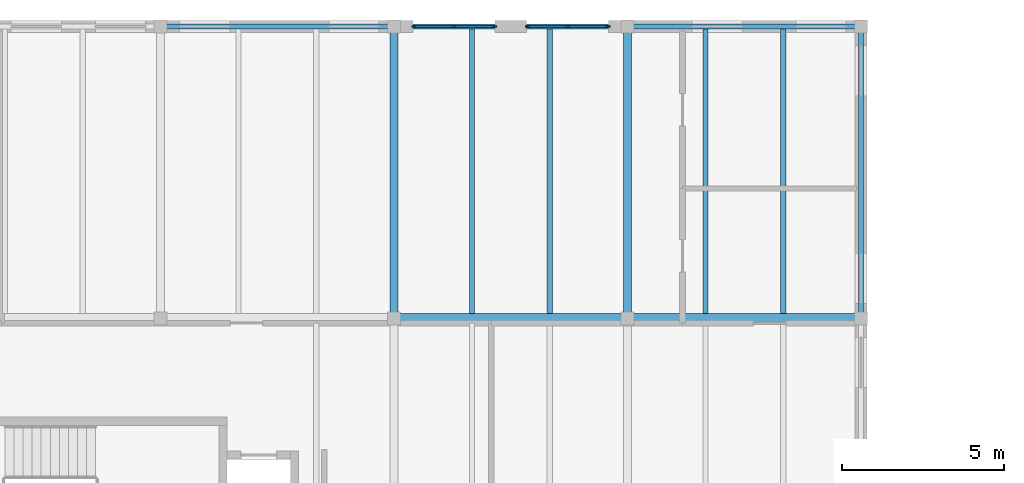
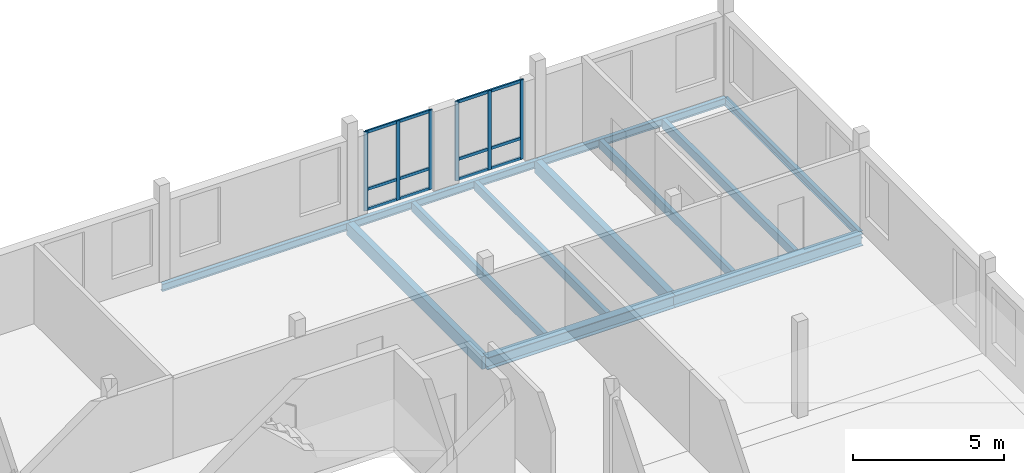
# One storey, part 19 of 34: 12 beams, 12 members, 2 elements without a shape of their own.
"""IFC4 building model written with IfcOpenShell, lengths in metres."""

from ifc_helpers import new_model, si_unit, direction, frame, origin, origin_2d, place, context, subcontext, project, spatial, rectangle, i_section, extrude, material, material_profile, profile_set, type_object, element, aggregate, save


model = new_model("IFC4")

# Units and contexts
model_context = context("Model", 3, precision=1e-05, world=origin(), true_north=direction((0.0, 1.0)))
body_context = subcontext(model_context, "Body", "Model", "MODEL_VIEW")
ifc_project = project(units=[si_unit("LENGTHUNIT", "METRE"), si_unit("AREAUNIT", "SQUARE_METRE"), si_unit("VOLUMEUNIT", "CUBIC_METRE"), si_unit("PLANEANGLEUNIT", "RADIAN"), si_unit("MASSUNIT", "GRAM", prefix="KILO")], contexts=[model_context])

# Site, building, storey
site_placement = place(None, origin())
site = spatial("IfcSite", under=ifc_project, at=site_placement, CompositionType="ELEMENT")
building_placement = place(site_placement, origin())
building = spatial("IfcBuilding", under=site, at=building_placement, Name="Kahlenmark Community Centre", CompositionType="ELEMENT")
storey_placement = place(building_placement, frame((0.0, 0.0, 17.699951171875)))
storey = spatial("IfcBuildingStorey", under=building, at=storey_placement, Name="L04", CompositionType="ELEMENT", Elevation=17.699951171875)

# Beams
ifc_material_1 = material(Name="Glulam GL32h", Category="wood")
ifc_material_profile_1 = material_profile(ifc_material_1, rectangle(XDim=0.239990234375, YDim=0.52001953125, at=origin_2d()), Name="GL32h 240x520")
ifc_profile_set_1 = profile_set([ifc_material_profile_1], Name="Glulam GL32h")
beam_type_1 = type_object("IfcBeamType", Name="BT-BEAM-GL32h240x520", PredefinedType="BEAM", material=ifc_profile_set_1)
for number, where, z_axis, x_axis, name in (
    (1, (72.39990234375, 106.0, -0.47998046875), (0.0, 1.0, 0.0), (-1.0, 0.0, 0.0), "L04 beam BG-GL32h240x520"),
    (2, (79.60009765625, 106.0, -0.47998046875), (0.0, 1.0, 0.0), (-1.0, 0.0, 0.0), "L04 beam BG-GL32h240x520"),
):
    element("IfcBeam", number, at=place(storey_placement, frame(where, z_axis=z_axis, x_axis=x_axis)), inside=storey, type_object=beam_type_1, Name=name, PredefinedType="BEAM", context=body_context, shape_type="SweptSolid", body=[
        extrude(rectangle(XDim=0.239990234375, YDim=0.52001953125, at=origin_2d()), origin(), (0.0, 0.0, 1.0), 9.0),
    ])
ifc_material_2 = material(Name="Steel S355", Category="steel")
ifc_material_profile_2 = material_profile(ifc_material_2, i_section(OverallWidth=0.300048828125, OverallDepth=0.489990234375, WebThickness=0.011962890625, FlangeThickness=0.02294921875, at=origin_2d()), Name="HEA 500")
ifc_profile_set_2 = profile_set([ifc_material_profile_2], Name="Steel S355")
beam_type_2 = type_object("IfcBeamType", Name="BT-BEAM-HEA500", PredefinedType="BEAM", material=ifc_profile_set_2)
beam_1_placement = place(storey_placement, frame((72.39990234375, 106.0, -0.46484375), z_axis=(1.0, 0.0, 0.0), x_axis=(0.0, 1.0, 0.0)))
element("IfcBeam", 3, at=beam_1_placement, inside=storey, type_object=beam_type_2, Name="L04 beam BG-HEA500", PredefinedType="BEAM", context=body_context, shape_type="SweptSolid", body=[
    extrude(i_section(OverallWidth=0.300048828125, OverallDepth=0.489990234375, WebThickness=0.011962890625, FlangeThickness=0.02294921875, at=origin_2d()), origin(), (0.0, 0.0, 1.0), 7.2001953125),
])
beam_2_placement = place(storey_placement, frame((79.60009765625, 106.0, -0.46484375), z_axis=(1.0, 0.0, 0.0), x_axis=(0.0, 1.0, 0.0)))
element("IfcBeam", 4, at=beam_2_placement, inside=storey, type_object=beam_type_2, Name="L04 beam BG-HEA500", PredefinedType="BEAM", context=body_context, shape_type="SweptSolid", body=[
    extrude(i_section(OverallWidth=0.300048828125, OverallDepth=0.489990234375, WebThickness=0.011962890625, FlangeThickness=0.02294921875, at=origin_2d()), origin(), (0.0, 0.0, 1.0), 7.199951171875),
])
ifc_material_3 = material(Name="Glulam GL28h", Category="wood")
ifc_material_profile_3 = material_profile(ifc_material_3, rectangle(XDim=0.159912109375, YDim=0.360107421875, at=origin_2d()), Name="GL28h 160x360")
ifc_profile_set_3 = profile_set([ifc_material_profile_3], Name="Glulam GL28h")
beam_type_3 = type_object("IfcBeamType", Name="BT-JOIST-GL28h160x360", PredefinedType="JOIST", material=ifc_profile_set_3)
for number, where, z_axis, x_axis, name in (
    (5, (74.800048828125, 106.14794921875, -0.39990234375), (0.0, 1.0, 0.0), (-1.0, 0.0, 0.0), "L04 joist BJ-GL28h160x360"),
    (6, (77.199951171875, 106.14794921875, -0.39990234375), (0.0, 1.0, 0.0), (-1.0, 0.0, 0.0), "L04 joist BJ-GL28h160x360"),
    (7, (82.0, 106.14794921875, -0.39990234375), (0.0, 1.0, 0.0), (-1.0, 0.0, 0.0), "L04 joist BJ-GL28h160x360"),
    (8, (84.39990234375, 106.14794921875, -0.39990234375), (0.0, 1.0, 0.0), (-1.0, 0.0, 0.0), "L04 joist BJ-GL28h160x360"),
):
    element("IfcBeam", number, at=place(storey_placement, frame(where, z_axis=z_axis, x_axis=x_axis)), inside=storey, type_object=beam_type_3, Name=name, PredefinedType="JOIST", context=body_context, shape_type="SweptSolid", body=[
        extrude(rectangle(XDim=0.159912109375, YDim=0.360107421875, at=origin_2d()), origin(), (0.0, 0.0, 1.0), 8.779052734375),
    ])
ifc_material_profile_4 = material_profile(ifc_material_2, i_section(OverallWidth=0.14990234375, OverallDepth=0.300048828125, WebThickness=0.007080078125, FlangeThickness=0.0107421875, at=origin_2d()), Name="IPE 300")
ifc_profile_set_4 = profile_set([ifc_material_profile_4], Name="Steel S355")
beam_type_4 = type_object("IfcBeamType", Name="BT-SPANDREL-IPE300", PredefinedType="SPANDREL", material=ifc_profile_set_4)
beam_3_placement = place(storey_placement, frame((65.199951171875, 115.0, -0.369873046875), z_axis=(1.0, 0.0, 0.0), x_axis=(0.0, 1.0, 0.0)))
element("IfcBeam", 9, at=beam_3_placement, inside=storey, type_object=beam_type_4, Name="L04 spandrel SP-IPE300", PredefinedType="SPANDREL", context=body_context, shape_type="SweptSolid", body=[
    extrude(i_section(OverallWidth=0.14990234375, OverallDepth=0.300048828125, WebThickness=0.007080078125, FlangeThickness=0.0107421875, at=origin_2d()), origin(), (0.0, 0.0, 1.0), 7.199951171875),
])
beam_4_placement = place(storey_placement, frame((72.39990234375, 115.0, -0.369873046875), z_axis=(1.0, 0.0, 0.0), x_axis=(0.0, 1.0, 0.0)))
element("IfcBeam", 10, at=beam_4_placement, inside=storey, type_object=beam_type_4, Name="L04 spandrel SP-IPE300", PredefinedType="SPANDREL", context=body_context, shape_type="SweptSolid", body=[
    extrude(i_section(OverallWidth=0.14990234375, OverallDepth=0.300048828125, WebThickness=0.007080078125, FlangeThickness=0.0107421875, at=origin_2d()), origin(), (0.0, 0.0, 1.0), 7.2001953125),
])
beam_5_placement = place(storey_placement, frame((79.60009765625, 115.0, -0.369873046875), z_axis=(1.0, 0.0, 0.0), x_axis=(0.0, 1.0, 0.0)))
element("IfcBeam", 11, at=beam_5_placement, inside=storey, type_object=beam_type_4, Name="L04 spandrel SP-IPE300", PredefinedType="SPANDREL", context=body_context, shape_type="SweptSolid", body=[
    extrude(i_section(OverallWidth=0.14990234375, OverallDepth=0.300048828125, WebThickness=0.007080078125, FlangeThickness=0.0107421875, at=origin_2d()), origin(), (0.0, 0.0, 1.0), 7.199951171875),
])
beam_6_placement = place(storey_placement, frame((86.800048828125, 106.0, -0.369873046875), z_axis=(0.0, 1.0, 0.0), x_axis=(-1.0, 0.0, 0.0)))
element("IfcBeam", 12, at=beam_6_placement, inside=storey, type_object=beam_type_4, Name="L04 spandrel SP-IPE300", PredefinedType="SPANDREL", context=body_context, shape_type="SweptSolid", body=[
    extrude(i_section(OverallWidth=0.14990234375, OverallDepth=0.300048828125, WebThickness=0.007080078125, FlangeThickness=0.0107421875, at=origin_2d()), origin(), (0.0, 0.0, 1.0), 9.0),
])

# Curtain wall, members
ifc_material_4 = material(Name="Anodised aluminium unitised curtain wall", Category="aluminium")
curtain_wall_type = type_object("IfcCurtainWallType", Name="CWT-UNIT-254X321", PredefinedType="USERDEFINED", material=ifc_material_4)
curtain_wall_1_placement = place(storey_placement, origin())
curtain_wall_1 = element("IfcCurtainWall", 13, at=curtain_wall_1_placement, inside=storey, type_object=curtain_wall_type, Name="Unitised curtain wall CW-133", ObjectType="UNITISED CURTAIN WALL", PredefinedType="USERDEFINED")
ifc_material_5 = material(Name="Anodised aluminium 6063-T6", Category="aluminium")
ifc_material_profile_5 = material_profile(ifc_material_5, rectangle(XDim=0.06005859375, YDim=0.139892578125, at=origin_2d()), Name="ALU MULLION 60x140")
ifc_profile_set_5 = profile_set([ifc_material_profile_5], Name="Anodised aluminium 6063-T6")
member_type_1 = type_object("IfcMemberType", Name="MT-MUL-140", PredefinedType="MULLION", material=ifc_profile_set_5)
member_1_placement = place(storey_placement, frame((78.989990234375, 115.0, 0.0), z_axis=(0.0, 0.0, 1.0), x_axis=(0.0, -1.0, 0.0)))
member_1 = element("IfcMember", 14, at=member_1_placement, type_object=member_type_1, Name="CW-133 mullion 1", PredefinedType="MULLION", context=body_context, shape_type="SweptSolid", body=[
    extrude(rectangle(XDim=0.06005859375, YDim=0.139892578125, at=origin_2d()), origin(), (0.0, 0.0, 1.0), 3.2099609375),
])
member_2_placement = place(storey_placement, frame((77.75, 115.0, 0.0), z_axis=(0.0, 0.0, 1.0), x_axis=(0.0, -1.0, 0.0)))
member_2 = element("IfcMember", 15, at=member_2_placement, type_object=member_type_1, Name="CW-133 mullion 2", PredefinedType="MULLION", context=body_context, shape_type="SweptSolid", body=[
    extrude(rectangle(XDim=0.06005859375, YDim=0.139892578125, at=origin_2d()), origin(), (0.0, 0.0, 1.0), 3.2099609375),
])
member_3_placement = place(storey_placement, frame((76.510009765625, 115.0, 0.0), z_axis=(0.0, 0.0, 1.0), x_axis=(0.0, -1.0, 0.0)))
member_3 = element("IfcMember", 16, at=member_3_placement, type_object=member_type_1, Name="CW-133 mullion 3", PredefinedType="MULLION", context=body_context, shape_type="SweptSolid", body=[
    extrude(rectangle(XDim=0.06005859375, YDim=0.139892578125, at=origin_2d()), origin(), (0.0, 0.0, 1.0), 3.2099609375),
])

curtain_wall_2_placement = place(storey_placement, origin())
curtain_wall_2 = element("IfcCurtainWall", 17, at=curtain_wall_2_placement, inside=storey, type_object=curtain_wall_type, Name="Unitised curtain wall CW-134", ObjectType="UNITISED CURTAIN WALL", PredefinedType="USERDEFINED")
member_4_placement = place(storey_placement, frame((75.489990234375, 115.0, 0.0), z_axis=(0.0, 0.0, 1.0), x_axis=(0.0, -1.0, 0.0)))
member_4 = element("IfcMember", 18, at=member_4_placement, type_object=member_type_1, Name="CW-134 mullion 1", PredefinedType="MULLION", context=body_context, shape_type="SweptSolid", body=[
    extrude(rectangle(XDim=0.06005859375, YDim=0.139892578125, at=origin_2d()), origin(), (0.0, 0.0, 1.0), 3.2099609375),
])
member_5_placement = place(storey_placement, frame((74.25, 115.0, 0.0), z_axis=(0.0, 0.0, 1.0), x_axis=(0.0, -1.0, 0.0)))
member_5 = element("IfcMember", 19, at=member_5_placement, type_object=member_type_1, Name="CW-134 mullion 2", PredefinedType="MULLION", context=body_context, shape_type="SweptSolid", body=[
    extrude(rectangle(XDim=0.06005859375, YDim=0.139892578125, at=origin_2d()), origin(), (0.0, 0.0, 1.0), 3.2099609375),
])
member_6_placement = place(storey_placement, frame((73.010009765625, 115.0, 0.0), z_axis=(0.0, 0.0, 1.0), x_axis=(0.0, -1.0, 0.0)))
member_6 = element("IfcMember", 20, at=member_6_placement, type_object=member_type_1, Name="CW-134 mullion 3", PredefinedType="MULLION", context=body_context, shape_type="SweptSolid", body=[
    extrude(rectangle(XDim=0.06005859375, YDim=0.139892578125, at=origin_2d()), origin(), (0.0, 0.0, 1.0), 3.2099609375),
])

# Member
ifc_material_profile_6 = material_profile(ifc_material_5, rectangle(XDim=0.06005859375, YDim=0.1201171875, at=origin_2d()), Name="ALU TRANSOM 60x120")
ifc_profile_set_6 = profile_set([ifc_material_profile_6], Name="Anodised aluminium 6063-T6")
member_type_2 = type_object("IfcMemberType", Name="MT-TRN-120", PredefinedType="USERDEFINED", material=ifc_profile_set_6)
member_7_placement = place(storey_placement, frame((78.989990234375, 115.0, 0.0400390625), z_axis=(-1.0, 0.0, 0.0), x_axis=(0.0, -1.0, 0.0)))
member_7 = element("IfcMember", 21, at=member_7_placement, type_object=member_type_2, Name="CW-133 transom 1", ObjectType="TRANSOM", PredefinedType="USERDEFINED", context=body_context, shape_type="SweptSolid", body=[
    extrude(rectangle(XDim=0.06005859375, YDim=0.1201171875, at=origin_2d()), origin(), (0.0, 0.0, 1.0), 2.47998046875),
])

member_8_placement = place(storey_placement, frame((78.989990234375, 115.0, 0.85009765625), z_axis=(-1.0, 0.0, 0.0), x_axis=(0.0, -1.0, 0.0)))
member_8 = element("IfcMember", 22, at=member_8_placement, type_object=member_type_2, Name="CW-133 transom 2", ObjectType="TRANSOM", PredefinedType="USERDEFINED", context=body_context, shape_type="SweptSolid", body=[
    extrude(rectangle(XDim=0.06005859375, YDim=0.1201171875, at=origin_2d()), origin(), (0.0, 0.0, 1.0), 2.47998046875),
])

member_9_placement = place(storey_placement, frame((78.989990234375, 115.0, 3.170166015625), z_axis=(-1.0, 0.0, 0.0), x_axis=(0.0, -1.0, 0.0)))
member_9 = element("IfcMember", 23, at=member_9_placement, type_object=member_type_2, Name="CW-133 transom 3", ObjectType="TRANSOM", PredefinedType="USERDEFINED", context=body_context, shape_type="SweptSolid", body=[
    extrude(rectangle(XDim=0.06005859375, YDim=0.1201171875, at=origin_2d()), origin(), (0.0, 0.0, 1.0), 2.47998046875),
])

aggregate(curtain_wall_1, [member_1, member_2, member_3, member_7, member_8, member_9])

member_10_placement = place(storey_placement, frame((75.489990234375, 115.0, 0.0400390625), z_axis=(-1.0, 0.0, 0.0), x_axis=(0.0, -1.0, 0.0)))
member_10 = element("IfcMember", 24, at=member_10_placement, type_object=member_type_2, Name="CW-134 transom 1", ObjectType="TRANSOM", PredefinedType="USERDEFINED", context=body_context, shape_type="SweptSolid", body=[
    extrude(rectangle(XDim=0.06005859375, YDim=0.1201171875, at=origin_2d()), origin(), (0.0, 0.0, 1.0), 2.47998046875),
])

member_11_placement = place(storey_placement, frame((75.489990234375, 115.0, 0.85009765625), z_axis=(-1.0, 0.0, 0.0), x_axis=(0.0, -1.0, 0.0)))
member_11 = element("IfcMember", 25, at=member_11_placement, type_object=member_type_2, Name="CW-134 transom 2", ObjectType="TRANSOM", PredefinedType="USERDEFINED", context=body_context, shape_type="SweptSolid", body=[
    extrude(rectangle(XDim=0.06005859375, YDim=0.1201171875, at=origin_2d()), origin(), (0.0, 0.0, 1.0), 2.47998046875),
])

member_12_placement = place(storey_placement, frame((75.489990234375, 115.0, 3.170166015625), z_axis=(-1.0, 0.0, 0.0), x_axis=(0.0, -1.0, 0.0)))
member_12 = element("IfcMember", 26, at=member_12_placement, type_object=member_type_2, Name="CW-134 transom 3", ObjectType="TRANSOM", PredefinedType="USERDEFINED", context=body_context, shape_type="SweptSolid", body=[
    extrude(rectangle(XDim=0.06005859375, YDim=0.1201171875, at=origin_2d()), origin(), (0.0, 0.0, 1.0), 2.47998046875),
])

aggregate(curtain_wall_2, [member_4, member_5, member_6, member_10, member_11, member_12])

save(model, "model.ifc")
